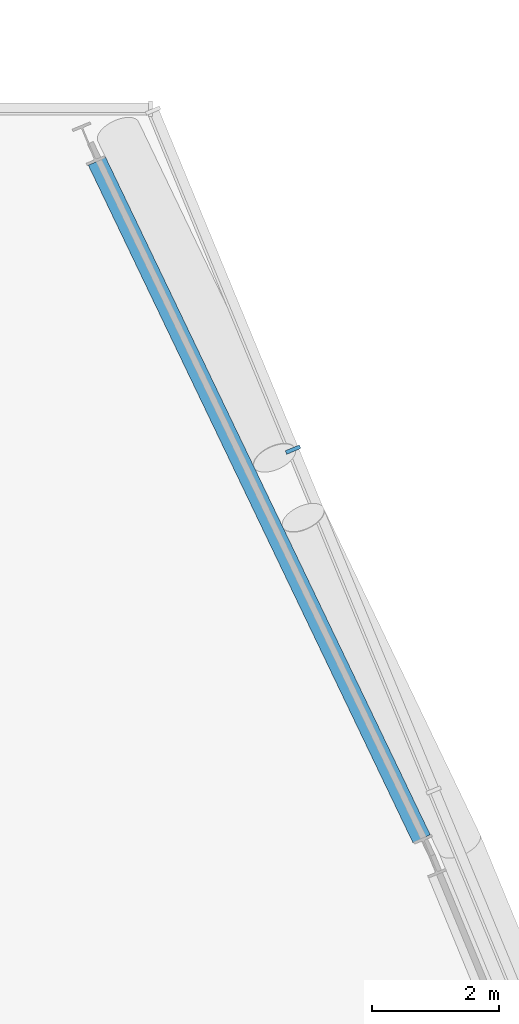
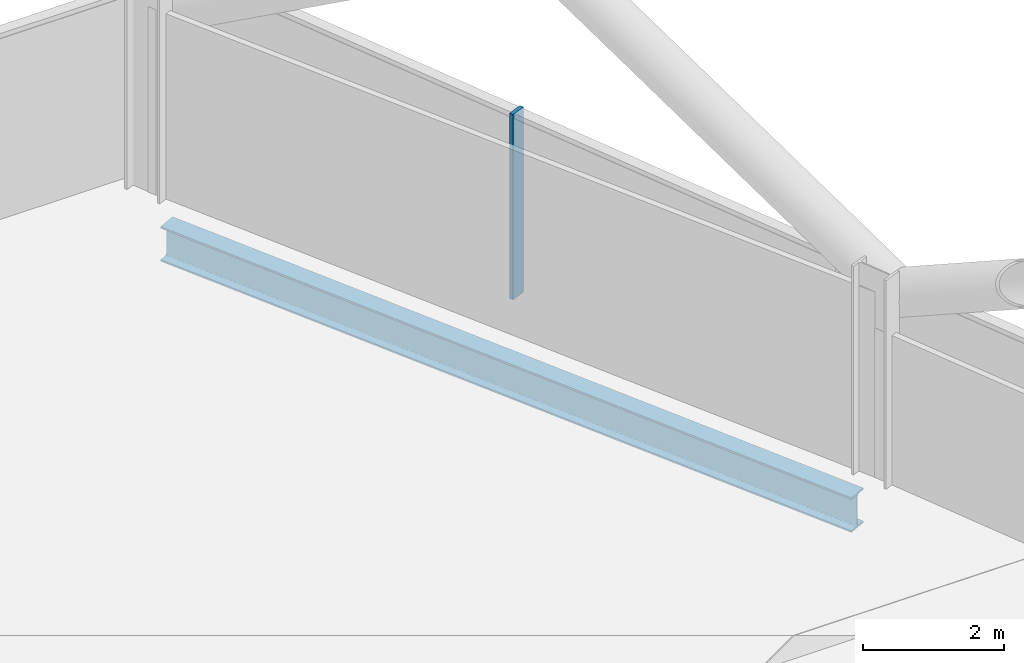
# One storey, part 12 of 26: 1 beam, 1 member, 1 element without a shape of its own.
"""IFC4 building model written with IfcOpenShell, lengths in metres."""

from ifc_helpers import new_model, si_unit, direction, frame, origin, origin_2d, place, context, subcontext, project, spatial, rectangle, i_section, extrude, material, material_profile, profile_set, type_object, element, aggregate, save


model = new_model("IFC4")

# Units and contexts
model_context = context("Model", 3, precision=1e-05, world=origin(), true_north=direction((0.0, 1.0)))
body_context = subcontext(model_context, "Body", "Model", "MODEL_VIEW")
ifc_project = project(units=[si_unit("LENGTHUNIT", "METRE"), si_unit("AREAUNIT", "SQUARE_METRE"), si_unit("VOLUMEUNIT", "CUBIC_METRE"), si_unit("PLANEANGLEUNIT", "RADIAN"), si_unit("MASSUNIT", "GRAM", prefix="KILO")], contexts=[model_context])

# Site, building, storey
site_placement = place(None, origin())
site = spatial("IfcSite", under=ifc_project, at=site_placement, CompositionType="ELEMENT")
building_placement = place(site_placement, origin())
building = spatial("IfcBuilding", under=site, at=building_placement, Name="Wharfspan Tower", CompositionType="ELEMENT")
storey_placement = place(building_placement, frame((0.0, 0.0, 177.100098)))
storey = spatial("IfcBuildingStorey", under=building, at=storey_placement, Name="L43", CompositionType="ELEMENT", Elevation=177.100098)

# Beam
ifc_material_1 = material(Name="Steel S355J2", Category="steel")
ifc_material_profile_1 = material_profile(ifc_material_1, i_section(OverallWidth=0.300049, OverallDepth=0.600098, WebThickness=0.015381, FlangeThickness=0.030029, FilletRadius=0.0271, at=origin_2d()))
ifc_profile_set_1 = profile_set([ifc_material_profile_1], Name="Steel S355J2")
beam_type = type_object("IfcBeamType", Name="Edge beam HEB 600", PredefinedType="SPANDREL", material=ifc_profile_set_1)
beam_placement = place(storey_placement, frame((73.721436, 30.495605, -0.700195), z_axis=(-0.432149, 0.901802, 0.0), x_axis=(-0.901802, -0.432149, 0.0)))
element("IfcBeam", 1, at=beam_placement, inside=storey, type_object=beam_type, Name="Edge beam L43 PE.2 to PE.3", PredefinedType="SPANDREL", context=body_context, shape_type="SweptSolid", body=[
    extrude(i_section(OverallWidth=0.300049, OverallDepth=0.600098, WebThickness=0.015381, FlangeThickness=0.030029, FilletRadius=0.0271, at=origin_2d()), origin(), (0.0, 0.0, 1.0), 11.841309),
])

# Curtain wall, member
ifc_material_2 = material(Name="Aluminium 6063-T6", Category="aluminium")
curtain_wall_type = type_object("IfcCurtainWallType", Name="CURTAIN WALL PROW AND END", PredefinedType="NOTDEFINED", material=ifc_material_2)
curtain_wall_placement = place(storey_placement, origin())
curtain_wall = element("IfcCurtainWall", 2, at=curtain_wall_placement, inside=storey, type_object=curtain_wall_type, Name="Curtain wall E", PredefinedType="NOTDEFINED")
ifc_material_profile_2 = material_profile(ifc_material_2, rectangle(XDim=0.23999, YDim=0.060059, at=origin_2d()))
ifc_profile_set_2 = profile_set([ifc_material_profile_2], Name="Aluminium 6063-T6")
member_type = type_object("IfcMemberType", Name="MULLION PROW AND END 60x240", PredefinedType="MULLION", material=ifc_profile_set_2)
member_placement = place(storey_placement, frame((71.69458, 36.628662, 0.0), z_axis=(0.0, 0.0, 1.0), x_axis=(-0.924325, -0.381602, 0.0)))
member = element("IfcMember", 3, at=member_placement, type_object=member_type, Name="Curtain wall E mullion 7", PredefinedType="MULLION", context=body_context, shape_type="SweptSolid", body=[
    extrude(rectangle(XDim=0.23999, YDim=0.060059, at=origin_2d()), origin(), (0.0, 0.0, 1.0), 3.199951),
])
aggregate(curtain_wall, [member])

save(model, "model.ifc")
